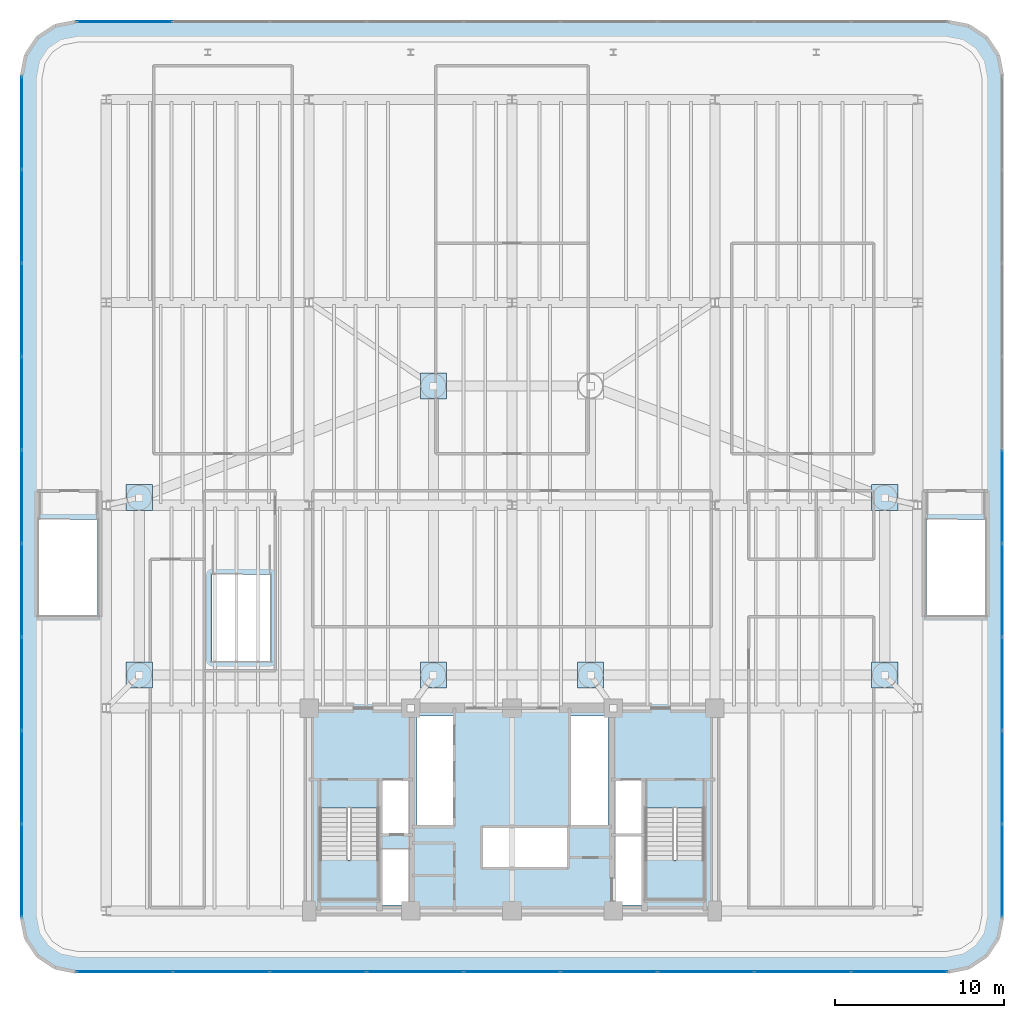
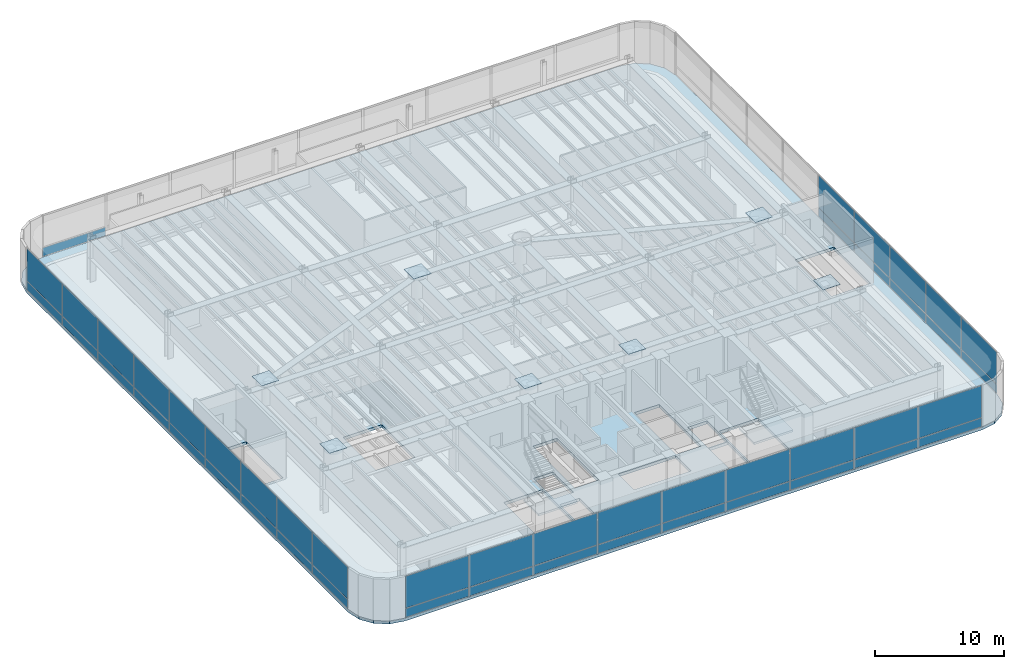
# One storey, part 11 of 18: 54 plates, 3 slabs, 6 elements without a shape of their own.
"""IFC4 building model written with IfcOpenShell, lengths in metres."""

from ifc_helpers import new_model, si_unit, direction, frame, origin, origin_2d, place, context, subcontext, project, spatial, polyline, rectangle, outline, extrude, source, transform, mapped, material, layer, layer_set, type_object, element, aggregate, save


model = new_model("IFC4")

# Units and contexts
model_context = context("Model", 3, precision=1e-05, world=origin(), true_north=direction((0.0, 1.0)))
body_context = subcontext(model_context, "Body", "Model", "MODEL_VIEW")
ifc_project = project(units=[si_unit("LENGTHUNIT", "METRE"), si_unit("AREAUNIT", "SQUARE_METRE"), si_unit("VOLUMEUNIT", "CUBIC_METRE"), si_unit("PLANEANGLEUNIT", "RADIAN"), si_unit("MASSUNIT", "GRAM", prefix="KILO")], contexts=[model_context])

# Site, building, storey
site_placement = place(None, origin())
site = spatial("IfcSite", under=ifc_project, at=site_placement, CompositionType="ELEMENT")
building_placement = place(site_placement, origin())
building = spatial("IfcBuilding", under=site, at=building_placement, Name="Brelvock Crest Care Tower", CompositionType="ELEMENT")
storey_placement = place(building_placement, frame((0.0, 0.0, 22.679931640625)))
storey = spatial("IfcBuildingStorey", under=building, at=storey_placement, Name="L05", CompositionType="ELEMENT", Elevation=22.679931640625)

# Slab
ifc_material_1 = material(Name="Concrete N50 (50 MPa)", Category="concrete")
ifc_layer_1 = layer(ifc_material_1, 0.280029296875, Name="SLB-FL2")
ifc_layer_set_1 = layer_set([ifc_layer_1], Name="Concrete N50 (50 MPa)")
slab_type_1 = type_object("IfcSlabType", Name="SLB-FL2", PredefinedType="FLOOR", material=ifc_layer_set_1)
slab_1_placement = place(storey_placement, frame((0.0, 0.0, -0.280029296875)))
element("IfcSlab", 1, at=slab_1_placement, inside=storey, type_object=slab_type_1, Name="L05 Main Structural Slab", PredefinedType="FLOOR", context=body_context, shape_type="SweptSolid", body=[
    extrude(outline(polyline([(61.800048828125, 2.39990234375), (63.024658203125, 2.6435546875), (64.062744140625, 3.33740234375), (64.75634765625, 4.37548828125), (65.0, 5.60009765625), (65.0, 55.39990234375), (64.75634765625, 56.62451171875), (64.062744140625, 57.66259765625), (63.024658203125, 58.3564453125), (61.800048828125, 58.60009765625), (10.199951171875, 58.60009765625), (8.975341796875, 58.3564453125), (7.937255859375, 57.66259765625), (7.24365234375, 56.62451171875), (7.0, 55.39990234375), (7.0, 5.60009765625), (7.24365234375, 4.37548828125), (7.937255859375, 3.33740234375), (8.975341796875, 2.6435546875), (10.199951171875, 2.39990234375), (61.800048828125, 2.39990234375)]), holes=[polyline([(28.239990234375, 10.580078125), (29.97998046875, 10.580078125), (29.97998046875, 13.739990234375), (28.239990234375, 13.739990234375), (28.239990234375, 10.580078125)]), polyline([(42.02001953125, 10.580078125), (43.760009765625, 10.580078125), (43.760009765625, 13.739990234375), (42.02001953125, 13.739990234375), (42.02001953125, 10.580078125)]), polyline([(28.239990234375, 6.340087890625), (29.97998046875, 6.340087890625), (29.97998046875, 9.64990234375), (28.239990234375, 9.64990234375), (28.239990234375, 6.340087890625)]), polyline([(24.6298828125, 12.080078125), (24.6298828125, 6.699951171875), (28.110107421875, 6.699951171875), (28.110107421875, 12.080078125), (24.6298828125, 12.080078125)]), polyline([(43.889892578125, 12.080078125), (43.889892578125, 6.699951171875), (47.3701171875, 6.699951171875), (47.3701171875, 12.080078125), (43.889892578125, 12.080078125)]), polyline([(8.010009765625, 29.14990234375), (8.010009765625, 23.5), (11.489990234375, 23.5), (11.489990234375, 29.14990234375), (8.010009765625, 29.14990234375)]), polyline([(60.510009765625, 29.14990234375), (60.510009765625, 23.5), (63.989990234375, 23.5), (63.989990234375, 29.14990234375), (60.510009765625, 29.14990234375)]), polyline([(18.239990234375, 25.89990234375), (18.239990234375, 20.800048828125), (21.719970703125, 20.800048828125), (21.719970703125, 25.89990234375), (18.239990234375, 25.89990234375)]), polyline([(42.02001953125, 6.340087890625), (43.760009765625, 6.340087890625), (43.760009765625, 10.5), (42.02001953125, 10.5), (42.02001953125, 6.340087890625)]), polyline([(30.3798828125, 11.030029296875), (32.52001953125, 11.030029296875), (32.52001953125, 17.52001953125), (30.3798828125, 17.52001953125), (30.3798828125, 11.030029296875)]), polyline([(34.22998046875, 8.530029296875), (39.320068359375, 8.530029296875), (39.320068359375, 10.969970703125), (34.22998046875, 10.969970703125), (34.22998046875, 8.530029296875)]), polyline([(39.429931640625, 11.030029296875), (41.669921875, 11.030029296875), (41.669921875, 17.52001953125), (39.429931640625, 17.52001953125), (39.429931640625, 11.030029296875)])]), origin(), (0.0, 0.0, 1.0), 0.280029296875),
])

# Stair, slab
ifc_material_2 = material(Name="Concrete N40 (40 MPa)", Category="concrete")
stair_type = type_object("IfcStairType", Name="ST-CORE1", PredefinedType="HALF_TURN_STAIR", material=ifc_material_2)
stair_1_placement = place(storey_placement, origin())
stair_1 = element("IfcStair", 2, at=stair_1_placement, inside=storey, type_object=stair_type, Name="L05 Fire-Isolated Core Stair ST-1", PredefinedType="HALF_TURN_STAIR")
ifc_layer_2 = layer(ifc_material_2, 0.199951171875, Name="STL-1")
ifc_layer_set_2 = layer_set([ifc_layer_2], Name="Concrete N40 (40 MPa)")
slab_type_2 = type_object("IfcSlabType", Name="STL-1", PredefinedType="LANDING", material=ifc_layer_set_2)
slab_2_placement = place(storey_placement, frame((0.0, 0.0, 1.9599609375)))
slab_2 = element("IfcSlab", 3, at=slab_2_placement, type_object=slab_type_2, Name="ST-1 landing 1", PredefinedType="LANDING", context=body_context, shape_type="SweptSolid", body=[
    extrude(outline(polyline([(24.6298828125, 9.0), (24.6298828125, 6.699951171875), (28.110107421875, 6.699951171875), (28.110107421875, 9.0), (24.6298828125, 9.0)])), origin(), (0.0, 0.0, 1.0), 0.2001953125),
])
aggregate(stair_1, [slab_2])

stair_2_placement = place(storey_placement, origin())
stair_2 = element("IfcStair", 4, at=stair_2_placement, inside=storey, type_object=stair_type, Name="L05 Fire-Isolated Core Stair ST-2", PredefinedType="HALF_TURN_STAIR")
slab_3_placement = place(storey_placement, frame((0.0, 0.0, 1.9599609375)))
slab_3 = element("IfcSlab", 5, at=slab_3_placement, type_object=slab_type_2, Name="ST-2 landing 1", PredefinedType="LANDING", context=body_context, shape_type="SweptSolid", body=[
    extrude(outline(polyline([(43.889892578125, 9.0), (43.889892578125, 6.699951171875), (47.3701171875, 6.699951171875), (47.3701171875, 9.0), (43.889892578125, 9.0)])), origin(), (0.0, 0.0, 1.0), 0.2001953125),
])
aggregate(stair_2, [slab_3])

# Plates
ifc_material_3 = material(Name="Steel Grade 350", Category="steel")
plate_type_1 = type_object("IfcPlateType", Name="PLT-EC1", PredefinedType="USERDEFINED", material=ifc_material_3)
shared_shape_1 = source(origin(), body_context, "Body", "SweptSolid", [
    extrude(rectangle(XDim=1.550048828125, YDim=1.550048828125, at=origin_2d()), origin(), (0.0, 0.0, 1.0), 0.031982421875),
])
for number, where, z_axis, x_axis, name in (
    (6, (13.949951171875, 19.949951171875, 4.31201171875), (0.0, 0.0, 1.0), (1.0, 0.0, 0.0), "PLT-CAP-L05-01"),
    (7, (13.949951171875, 30.449951171875, 4.31201171875), (0.0, 0.0, 1.0), (1.0, 0.0, 0.0), "PLT-CAP-L05-02"),
    (8, (58.050048828125, 19.949951171875, 4.31201171875), (0.0, 0.0, 1.0), (1.0, 0.0, 0.0), "PLT-CAP-L05-03"),
    (9, (58.050048828125, 30.449951171875, 4.31201171875), (0.0, 0.0, 1.0), (1.0, 0.0, 0.0), "PLT-CAP-L05-04"),
    (10, (31.35009765625, 19.949951171875, 4.31201171875), (0.0, 0.0, 1.0), (1.0, 0.0, 0.0), "PLT-CAP-L05-05"),
    (11, (40.64990234375, 19.949951171875, 4.31201171875), (0.0, 0.0, 1.0), (1.0, 0.0, 0.0), "PLT-CAP-L05-06"),
    (12, (31.35009765625, 37.050048828125, 4.31201171875), (0.0, 0.0, 1.0), (1.0, 0.0, 0.0), "PLT-CAP-L05-07"),
):
    element("IfcPlate", number, at=place(storey_placement, frame(where, z_axis=z_axis, x_axis=x_axis)), inside=storey, type_object=plate_type_1, Name=name, ObjectType="FLANGE_PLATE", PredefinedType="USERDEFINED", context=body_context, shape_type="MappedRepresentation", body=[
        mapped(shared_shape_1, transform((0.0, 0.0, 0.0), x_axis=(1.0, 0.0, 0.0), y_axis=(0.0, 1.0, 0.0), z_axis=(0.0, 0.0, 1.0), scale=1.0)),
    ])

# Curtain wall, plates
ifc_material_4 = material(Name="Dark Glass Double Glazed Low-E", Category="glass")
ifc_layer_3 = layer(ifc_material_4, 0.179931640625, Name="CWS-1")
ifc_layer_set_3 = layer_set([ifc_layer_3], Name="Dark Glass Double Glazed Low-E")
curtain_wall_type = type_object("IfcCurtainWallType", Name="CWS-1", PredefinedType="NOTDEFINED", material=ifc_layer_set_3)
curtain_wall_1_placement = place(storey_placement, origin())
curtain_wall_1 = element("IfcCurtainWall", 13, at=curtain_wall_1_placement, inside=storey, type_object=curtain_wall_type, Name="L05 Curtain Wall E04", PredefinedType="NOTDEFINED")
ifc_material_5 = material(Name="Dark Glass Shadow-Box Spandrel", Category="glass")
ifc_layer_4 = layer(ifc_material_5, 0.048095703125, Name="CWP-SP1")
ifc_layer_set_4 = layer_set([ifc_layer_4], Name="Dark Glass Shadow-Box Spandrel")
plate_type_2 = type_object("IfcPlateType", Name="CWP-SP1", PredefinedType="SHEET", material=ifc_layer_set_4)
shared_shape_2 = source(origin(), body_context, "Body", "SweptSolid", [
    extrude(rectangle(XDim=5.435791015625, YDim=0.035888671875, at=origin_2d()), origin(), (0.0, 0.0, 1.0), 0.802490234375),
])
plate_1_placement = place(storey_placement, frame((7.0, 8.3828125, 0.06494140625), z_axis=(0.0, 0.0, 1.0), x_axis=(0.0, 1.0, 0.0)))
plate_1 = element("IfcPlate", 14, at=plate_1_placement, type_object=plate_type_2, Name="CW-1 panel 1.1", PredefinedType="SHEET", context=body_context, shape_type="MappedRepresentation", body=[
    mapped(shared_shape_2, transform((0.0, 0.0, 0.0), x_axis=(1.0, 0.0, 0.0), y_axis=(0.0, 1.0, 0.0), z_axis=(0.0, 0.0, 1.0), scale=1.0)),
])
plate_2_placement = place(storey_placement, frame((7.0, 52.6171875, 0.06494140625), z_axis=(0.0, 0.0, 1.0), x_axis=(0.0, 1.0, 0.0)))
plate_2 = element("IfcPlate", 15, at=plate_2_placement, type_object=plate_type_2, Name="CW-1 panel 9.1", PredefinedType="SHEET", context=body_context, shape_type="MappedRepresentation", body=[
    mapped(shared_shape_2, transform((0.0, 0.0, 0.0), x_axis=(1.0, 0.0, 0.0), y_axis=(0.0, 1.0, 0.0), z_axis=(0.0, 0.0, 1.0), scale=1.0)),
])

# Curtain wall, plate
curtain_wall_2_placement = place(storey_placement, origin())
curtain_wall_2 = element("IfcCurtainWall", 16, at=curtain_wall_2_placement, inside=storey, type_object=curtain_wall_type, Name="L05 Curtain Wall E14", PredefinedType="NOTDEFINED")
plate_3_placement = place(storey_placement, frame((65.0, 8.3828125, 0.06494140625), z_axis=(0.0, 0.0, 1.0), x_axis=(0.0, -1.0, 0.0)))
plate_3 = element("IfcPlate", 17, at=plate_3_placement, type_object=plate_type_2, Name="CW-1 panel 9.1", PredefinedType="SHEET", context=body_context, shape_type="MappedRepresentation", body=[
    mapped(shared_shape_2, transform((0.0, 0.0, 0.0), x_axis=(1.0, 0.0, 0.0), y_axis=(0.0, 1.0, 0.0), z_axis=(0.0, 0.0, 1.0), scale=1.0)),
])

# Plate
shared_shape_3 = source(origin(), body_context, "Body", "SweptSolid", [
    extrude(rectangle(XDim=5.46826171875, YDim=0.035888671875, at=origin_2d()), origin(), (0.0, 0.0, 1.0), 0.802490234375),
])
plate_4_placement = place(storey_placement, frame((7.0, 13.89990234375, 0.06494140625), z_axis=(0.0, 0.0, 1.0), x_axis=(0.0, 1.0, 0.0)))
plate_4 = element("IfcPlate", 18, at=plate_4_placement, type_object=plate_type_2, Name="CW-1 panel 2.1", PredefinedType="SHEET", context=body_context, shape_type="MappedRepresentation", body=[
    mapped(shared_shape_3, transform((0.0, 0.0, 0.0), x_axis=(1.0, 0.0, 0.0), y_axis=(0.0, 1.0, 0.0), z_axis=(0.0, 0.0, 1.0), scale=1.0)),
])

plate_5_placement = place(storey_placement, frame((7.0, 19.433349609375, 0.06494140625), z_axis=(0.0, 0.0, 1.0), x_axis=(0.0, 1.0, 0.0)))
plate_5 = element("IfcPlate", 19, at=plate_5_placement, type_object=plate_type_2, Name="CW-1 panel 3.1", PredefinedType="SHEET", context=body_context, shape_type="MappedRepresentation", body=[
    mapped(shared_shape_3, transform((0.0, 0.0, 0.0), x_axis=(1.0, 0.0, 0.0), y_axis=(0.0, 1.0, 0.0), z_axis=(0.0, 0.0, 1.0), scale=1.0)),
])

plate_6_placement = place(storey_placement, frame((7.0, 24.966552734375, 0.06494140625), z_axis=(0.0, 0.0, 1.0), x_axis=(0.0, 1.0, 0.0)))
plate_6 = element("IfcPlate", 20, at=plate_6_placement, type_object=plate_type_2, Name="CW-1 panel 4.1", PredefinedType="SHEET", context=body_context, shape_type="MappedRepresentation", body=[
    mapped(shared_shape_3, transform((0.0, 0.0, 0.0), x_axis=(1.0, 0.0, 0.0), y_axis=(0.0, 1.0, 0.0), z_axis=(0.0, 0.0, 1.0), scale=1.0)),
])

plate_7_placement = place(storey_placement, frame((7.0, 30.5, 0.06494140625), z_axis=(0.0, 0.0, 1.0), x_axis=(0.0, 1.0, 0.0)))
plate_7 = element("IfcPlate", 21, at=plate_7_placement, type_object=plate_type_2, Name="CW-1 panel 5.1", PredefinedType="SHEET", context=body_context, shape_type="MappedRepresentation", body=[
    mapped(shared_shape_3, transform((0.0, 0.0, 0.0), x_axis=(1.0, 0.0, 0.0), y_axis=(0.0, 1.0, 0.0), z_axis=(0.0, 0.0, 1.0), scale=1.0)),
])

plate_8_placement = place(storey_placement, frame((7.0, 36.033447265625, 0.06494140625), z_axis=(0.0, 0.0, 1.0), x_axis=(0.0, 1.0, 0.0)))
plate_8 = element("IfcPlate", 22, at=plate_8_placement, type_object=plate_type_2, Name="CW-1 panel 6.1", PredefinedType="SHEET", context=body_context, shape_type="MappedRepresentation", body=[
    mapped(shared_shape_3, transform((0.0, 0.0, 0.0), x_axis=(1.0, 0.0, 0.0), y_axis=(0.0, 1.0, 0.0), z_axis=(0.0, 0.0, 1.0), scale=1.0)),
])

plate_9_placement = place(storey_placement, frame((7.0, 41.566650390625, 0.06494140625), z_axis=(0.0, 0.0, 1.0), x_axis=(0.0, 1.0, 0.0)))
plate_9 = element("IfcPlate", 23, at=plate_9_placement, type_object=plate_type_2, Name="CW-1 panel 7.1", PredefinedType="SHEET", context=body_context, shape_type="MappedRepresentation", body=[
    mapped(shared_shape_3, transform((0.0, 0.0, 0.0), x_axis=(1.0, 0.0, 0.0), y_axis=(0.0, 1.0, 0.0), z_axis=(0.0, 0.0, 1.0), scale=1.0)),
])

plate_10_placement = place(storey_placement, frame((7.0, 47.10009765625, 0.06494140625), z_axis=(0.0, 0.0, 1.0), x_axis=(0.0, 1.0, 0.0)))
plate_10 = element("IfcPlate", 24, at=plate_10_placement, type_object=plate_type_2, Name="CW-1 panel 8.1", PredefinedType="SHEET", context=body_context, shape_type="MappedRepresentation", body=[
    mapped(shared_shape_3, transform((0.0, 0.0, 0.0), x_axis=(1.0, 0.0, 0.0), y_axis=(0.0, 1.0, 0.0), z_axis=(0.0, 0.0, 1.0), scale=1.0)),
])

plate_11_placement = place(storey_placement, frame((65.0, 30.5, 0.06494140625), z_axis=(0.0, 0.0, 1.0), x_axis=(0.0, -1.0, 0.0)))
plate_11 = element("IfcPlate", 25, at=plate_11_placement, type_object=plate_type_2, Name="CW-1 panel 5.1", PredefinedType="SHEET", context=body_context, shape_type="MappedRepresentation", body=[
    mapped(shared_shape_3, transform((0.0, 0.0, 0.0), x_axis=(1.0, 0.0, 0.0), y_axis=(0.0, 1.0, 0.0), z_axis=(0.0, 0.0, 1.0), scale=1.0)),
])

plate_12_placement = place(storey_placement, frame((65.0, 24.966552734375, 0.06494140625), z_axis=(0.0, 0.0, 1.0), x_axis=(0.0, -1.0, 0.0)))
plate_12 = element("IfcPlate", 26, at=plate_12_placement, type_object=plate_type_2, Name="CW-1 panel 6.1", PredefinedType="SHEET", context=body_context, shape_type="MappedRepresentation", body=[
    mapped(shared_shape_3, transform((0.0, 0.0, 0.0), x_axis=(1.0, 0.0, 0.0), y_axis=(0.0, 1.0, 0.0), z_axis=(0.0, 0.0, 1.0), scale=1.0)),
])

plate_13_placement = place(storey_placement, frame((65.0, 19.433349609375, 0.06494140625), z_axis=(0.0, 0.0, 1.0), x_axis=(0.0, -1.0, 0.0)))
plate_13 = element("IfcPlate", 27, at=plate_13_placement, type_object=plate_type_2, Name="CW-1 panel 7.1", PredefinedType="SHEET", context=body_context, shape_type="MappedRepresentation", body=[
    mapped(shared_shape_3, transform((0.0, 0.0, 0.0), x_axis=(1.0, 0.0, 0.0), y_axis=(0.0, 1.0, 0.0), z_axis=(0.0, 0.0, 1.0), scale=1.0)),
])

plate_14_placement = place(storey_placement, frame((65.0, 13.89990234375, 0.06494140625), z_axis=(0.0, 0.0, 1.0), x_axis=(0.0, -1.0, 0.0)))
plate_14 = element("IfcPlate", 28, at=plate_14_placement, type_object=plate_type_2, Name="CW-1 panel 8.1", PredefinedType="SHEET", context=body_context, shape_type="MappedRepresentation", body=[
    mapped(shared_shape_3, transform((0.0, 0.0, 0.0), x_axis=(1.0, 0.0, 0.0), y_axis=(0.0, 1.0, 0.0), z_axis=(0.0, 0.0, 1.0), scale=1.0)),
])

# Curtain wall, plate
curtain_wall_3_placement = place(storey_placement, origin())
curtain_wall_3 = element("IfcCurtainWall", 29, at=curtain_wall_3_placement, inside=storey, type_object=curtain_wall_type, Name="L05 Curtain Wall E09", PredefinedType="NOTDEFINED")
shared_shape_4 = source(origin(), body_context, "Body", "SweptSolid", [
    extrude(rectangle(XDim=5.6357421875, YDim=0.035888671875, at=origin_2d()), origin(), (0.0, 0.0, 1.0), 0.802490234375),
])
plate_15_placement = place(storey_placement, frame((13.0830078125, 58.60009765625, 0.06494140625), z_axis=(0.0, 0.0, 1.0), x_axis=(1.0, 0.0, 0.0)))
plate_15 = element("IfcPlate", 30, at=plate_15_placement, type_object=plate_type_2, Name="CW-1 panel 1.1", PredefinedType="SHEET", context=body_context, shape_type="MappedRepresentation", body=[
    mapped(shared_shape_4, transform((0.0, 0.0, 0.0), x_axis=(1.0, 0.0, 0.0), y_axis=(0.0, 1.0, 0.0), z_axis=(0.0, 0.0, 1.0), scale=1.0)),
])
aggregate(curtain_wall_3, [plate_15])

# Curtain wall, plates
curtain_wall_4_placement = place(storey_placement, origin())
curtain_wall_4 = element("IfcCurtainWall", 31, at=curtain_wall_4_placement, inside=storey, type_object=curtain_wall_type, Name="L05 Curtain Wall E19", PredefinedType="NOTDEFINED")
plate_16_placement = place(storey_placement, frame((58.9169921875, 2.39990234375, 0.06494140625), z_axis=(0.0, 0.0, 1.0), x_axis=(-1.0, 0.0, 0.0)))
plate_16 = element("IfcPlate", 32, at=plate_16_placement, type_object=plate_type_2, Name="CW-1 panel 1.1", PredefinedType="SHEET", context=body_context, shape_type="MappedRepresentation", body=[
    mapped(shared_shape_4, transform((0.0, 0.0, 0.0), x_axis=(1.0, 0.0, 0.0), y_axis=(0.0, 1.0, 0.0), z_axis=(0.0, 0.0, 1.0), scale=1.0)),
])
plate_17_placement = place(storey_placement, frame((13.0830078125, 2.39990234375, 0.06494140625), z_axis=(0.0, 0.0, 1.0), x_axis=(-1.0, 0.0, 0.0)))
plate_17 = element("IfcPlate", 33, at=plate_17_placement, type_object=plate_type_2, Name="CW-1 panel 9.1", PredefinedType="SHEET", context=body_context, shape_type="MappedRepresentation", body=[
    mapped(shared_shape_4, transform((0.0, 0.0, 0.0), x_axis=(1.0, 0.0, 0.0), y_axis=(0.0, 1.0, 0.0), z_axis=(0.0, 0.0, 1.0), scale=1.0)),
])
shared_shape_5 = source(origin(), body_context, "Body", "SweptSolid", [
    extrude(rectangle(XDim=5.668212890625, YDim=0.035888671875, at=origin_2d()), origin(), (0.0, 0.0, 1.0), 0.802490234375),
])
plate_18_placement = place(storey_placement, frame((53.199951171875, 2.39990234375, 0.06494140625), z_axis=(0.0, 0.0, 1.0), x_axis=(-1.0, 0.0, 0.0)))
plate_18 = element("IfcPlate", 34, at=plate_18_placement, type_object=plate_type_2, Name="CW-1 panel 2.1", PredefinedType="SHEET", context=body_context, shape_type="MappedRepresentation", body=[
    mapped(shared_shape_5, transform((0.0, 0.0, 0.0), x_axis=(1.0, 0.0, 0.0), y_axis=(0.0, 1.0, 0.0), z_axis=(0.0, 0.0, 1.0), scale=1.0)),
])
plate_19_placement = place(storey_placement, frame((47.466552734375, 2.39990234375, 0.06494140625), z_axis=(0.0, 0.0, 1.0), x_axis=(-1.0, 0.0, 0.0)))
plate_19 = element("IfcPlate", 35, at=plate_19_placement, type_object=plate_type_2, Name="CW-1 panel 3.1", PredefinedType="SHEET", context=body_context, shape_type="MappedRepresentation", body=[
    mapped(shared_shape_5, transform((0.0, 0.0, 0.0), x_axis=(1.0, 0.0, 0.0), y_axis=(0.0, 1.0, 0.0), z_axis=(0.0, 0.0, 1.0), scale=1.0)),
])
plate_20_placement = place(storey_placement, frame((41.7333984375, 2.39990234375, 0.06494140625), z_axis=(0.0, 0.0, 1.0), x_axis=(-1.0, 0.0, 0.0)))
plate_20 = element("IfcPlate", 36, at=plate_20_placement, type_object=plate_type_2, Name="CW-1 panel 4.1", PredefinedType="SHEET", context=body_context, shape_type="MappedRepresentation", body=[
    mapped(shared_shape_5, transform((0.0, 0.0, 0.0), x_axis=(1.0, 0.0, 0.0), y_axis=(0.0, 1.0, 0.0), z_axis=(0.0, 0.0, 1.0), scale=1.0)),
])
plate_21_placement = place(storey_placement, frame((36.0, 2.39990234375, 0.06494140625), z_axis=(0.0, 0.0, 1.0), x_axis=(-1.0, 0.0, 0.0)))
plate_21 = element("IfcPlate", 37, at=plate_21_placement, type_object=plate_type_2, Name="CW-1 panel 5.1", PredefinedType="SHEET", context=body_context, shape_type="MappedRepresentation", body=[
    mapped(shared_shape_5, transform((0.0, 0.0, 0.0), x_axis=(1.0, 0.0, 0.0), y_axis=(0.0, 1.0, 0.0), z_axis=(0.0, 0.0, 1.0), scale=1.0)),
])
plate_22_placement = place(storey_placement, frame((30.2666015625, 2.39990234375, 0.06494140625), z_axis=(0.0, 0.0, 1.0), x_axis=(-1.0, 0.0, 0.0)))
plate_22 = element("IfcPlate", 38, at=plate_22_placement, type_object=plate_type_2, Name="CW-1 panel 6.1", PredefinedType="SHEET", context=body_context, shape_type="MappedRepresentation", body=[
    mapped(shared_shape_5, transform((0.0, 0.0, 0.0), x_axis=(1.0, 0.0, 0.0), y_axis=(0.0, 1.0, 0.0), z_axis=(0.0, 0.0, 1.0), scale=1.0)),
])
plate_23_placement = place(storey_placement, frame((24.533447265625, 2.39990234375, 0.06494140625), z_axis=(0.0, 0.0, 1.0), x_axis=(-1.0, 0.0, 0.0)))
plate_23 = element("IfcPlate", 39, at=plate_23_placement, type_object=plate_type_2, Name="CW-1 panel 7.1", PredefinedType="SHEET", context=body_context, shape_type="MappedRepresentation", body=[
    mapped(shared_shape_5, transform((0.0, 0.0, 0.0), x_axis=(1.0, 0.0, 0.0), y_axis=(0.0, 1.0, 0.0), z_axis=(0.0, 0.0, 1.0), scale=1.0)),
])
plate_24_placement = place(storey_placement, frame((18.800048828125, 2.39990234375, 0.06494140625), z_axis=(0.0, 0.0, 1.0), x_axis=(-1.0, 0.0, 0.0)))
plate_24 = element("IfcPlate", 40, at=plate_24_placement, type_object=plate_type_2, Name="CW-1 panel 8.1", PredefinedType="SHEET", context=body_context, shape_type="MappedRepresentation", body=[
    mapped(shared_shape_5, transform((0.0, 0.0, 0.0), x_axis=(1.0, 0.0, 0.0), y_axis=(0.0, 1.0, 0.0), z_axis=(0.0, 0.0, 1.0), scale=1.0)),
])

# Plate
ifc_layer_5 = layer(ifc_material_4, 0.031982421875, Name="CWP-V1")
ifc_layer_set_5 = layer_set([ifc_layer_5], Name="Dark Glass Double Glazed Low-E")
plate_type_3 = type_object("IfcPlateType", Name="CWP-V1", PredefinedType="CURTAIN_PANEL", material=ifc_layer_set_5)
shared_shape_6 = source(origin(), body_context, "Body", "SweptSolid", [
    extrude(rectangle(XDim=5.435791015625, YDim=0.035888671875, at=origin_2d()), origin(), (0.0, 0.0, 1.0), 3.00244140625),
])
plate_25_placement = place(storey_placement, frame((7.0, 8.3828125, 0.9326171875), z_axis=(0.0, 0.0, 1.0), x_axis=(0.0, 1.0, 0.0)))
plate_25 = element("IfcPlate", 41, at=plate_25_placement, type_object=plate_type_3, Name="CW-1 panel 1.2", PredefinedType="CURTAIN_PANEL", context=body_context, shape_type="MappedRepresentation", body=[
    mapped(shared_shape_6, transform((0.0, 0.0, 0.0), x_axis=(1.0, 0.0, 0.0), y_axis=(0.0, 1.0, 0.0), z_axis=(0.0, 0.0, 1.0), scale=1.0)),
])

plate_26_placement = place(storey_placement, frame((7.0, 52.6171875, 0.9326171875), z_axis=(0.0, 0.0, 1.0), x_axis=(0.0, 1.0, 0.0)))
plate_26 = element("IfcPlate", 42, at=plate_26_placement, type_object=plate_type_3, Name="CW-1 panel 9.2", PredefinedType="CURTAIN_PANEL", context=body_context, shape_type="MappedRepresentation", body=[
    mapped(shared_shape_6, transform((0.0, 0.0, 0.0), x_axis=(1.0, 0.0, 0.0), y_axis=(0.0, 1.0, 0.0), z_axis=(0.0, 0.0, 1.0), scale=1.0)),
])

plate_27_placement = place(storey_placement, frame((65.0, 8.3828125, 0.9326171875), z_axis=(0.0, 0.0, 1.0), x_axis=(0.0, -1.0, 0.0)))
plate_27 = element("IfcPlate", 43, at=plate_27_placement, type_object=plate_type_3, Name="CW-1 panel 9.2", PredefinedType="CURTAIN_PANEL", context=body_context, shape_type="MappedRepresentation", body=[
    mapped(shared_shape_6, transform((0.0, 0.0, 0.0), x_axis=(1.0, 0.0, 0.0), y_axis=(0.0, 1.0, 0.0), z_axis=(0.0, 0.0, 1.0), scale=1.0)),
])

shared_shape_7 = source(origin(), body_context, "Body", "SweptSolid", [
    extrude(rectangle(XDim=5.46826171875, YDim=0.035888671875, at=origin_2d()), origin(), (0.0, 0.0, 1.0), 3.00244140625),
])
plate_28_placement = place(storey_placement, frame((7.0, 13.89990234375, 0.9326171875), z_axis=(0.0, 0.0, 1.0), x_axis=(0.0, 1.0, 0.0)))
plate_28 = element("IfcPlate", 44, at=plate_28_placement, type_object=plate_type_3, Name="CW-1 panel 2.2", PredefinedType="CURTAIN_PANEL", context=body_context, shape_type="MappedRepresentation", body=[
    mapped(shared_shape_7, transform((0.0, 0.0, 0.0), x_axis=(1.0, 0.0, 0.0), y_axis=(0.0, 1.0, 0.0), z_axis=(0.0, 0.0, 1.0), scale=1.0)),
])

plate_29_placement = place(storey_placement, frame((7.0, 19.433349609375, 0.9326171875), z_axis=(0.0, 0.0, 1.0), x_axis=(0.0, 1.0, 0.0)))
plate_29 = element("IfcPlate", 45, at=plate_29_placement, type_object=plate_type_3, Name="CW-1 panel 3.2", PredefinedType="CURTAIN_PANEL", context=body_context, shape_type="MappedRepresentation", body=[
    mapped(shared_shape_7, transform((0.0, 0.0, 0.0), x_axis=(1.0, 0.0, 0.0), y_axis=(0.0, 1.0, 0.0), z_axis=(0.0, 0.0, 1.0), scale=1.0)),
])

plate_30_placement = place(storey_placement, frame((7.0, 24.966552734375, 0.9326171875), z_axis=(0.0, 0.0, 1.0), x_axis=(0.0, 1.0, 0.0)))
plate_30 = element("IfcPlate", 46, at=plate_30_placement, type_object=plate_type_3, Name="CW-1 panel 4.2", PredefinedType="CURTAIN_PANEL", context=body_context, shape_type="MappedRepresentation", body=[
    mapped(shared_shape_7, transform((0.0, 0.0, 0.0), x_axis=(1.0, 0.0, 0.0), y_axis=(0.0, 1.0, 0.0), z_axis=(0.0, 0.0, 1.0), scale=1.0)),
])

plate_31_placement = place(storey_placement, frame((7.0, 30.5, 0.9326171875), z_axis=(0.0, 0.0, 1.0), x_axis=(0.0, 1.0, 0.0)))
plate_31 = element("IfcPlate", 47, at=plate_31_placement, type_object=plate_type_3, Name="CW-1 panel 5.2", PredefinedType="CURTAIN_PANEL", context=body_context, shape_type="MappedRepresentation", body=[
    mapped(shared_shape_7, transform((0.0, 0.0, 0.0), x_axis=(1.0, 0.0, 0.0), y_axis=(0.0, 1.0, 0.0), z_axis=(0.0, 0.0, 1.0), scale=1.0)),
])

plate_32_placement = place(storey_placement, frame((7.0, 36.033447265625, 0.9326171875), z_axis=(0.0, 0.0, 1.0), x_axis=(0.0, 1.0, 0.0)))
plate_32 = element("IfcPlate", 48, at=plate_32_placement, type_object=plate_type_3, Name="CW-1 panel 6.2", PredefinedType="CURTAIN_PANEL", context=body_context, shape_type="MappedRepresentation", body=[
    mapped(shared_shape_7, transform((0.0, 0.0, 0.0), x_axis=(1.0, 0.0, 0.0), y_axis=(0.0, 1.0, 0.0), z_axis=(0.0, 0.0, 1.0), scale=1.0)),
])

plate_33_placement = place(storey_placement, frame((7.0, 41.566650390625, 0.9326171875), z_axis=(0.0, 0.0, 1.0), x_axis=(0.0, 1.0, 0.0)))
plate_33 = element("IfcPlate", 49, at=plate_33_placement, type_object=plate_type_3, Name="CW-1 panel 7.2", PredefinedType="CURTAIN_PANEL", context=body_context, shape_type="MappedRepresentation", body=[
    mapped(shared_shape_7, transform((0.0, 0.0, 0.0), x_axis=(1.0, 0.0, 0.0), y_axis=(0.0, 1.0, 0.0), z_axis=(0.0, 0.0, 1.0), scale=1.0)),
])

plate_34_placement = place(storey_placement, frame((7.0, 47.10009765625, 0.9326171875), z_axis=(0.0, 0.0, 1.0), x_axis=(0.0, 1.0, 0.0)))
plate_34 = element("IfcPlate", 50, at=plate_34_placement, type_object=plate_type_3, Name="CW-1 panel 8.2", PredefinedType="CURTAIN_PANEL", context=body_context, shape_type="MappedRepresentation", body=[
    mapped(shared_shape_7, transform((0.0, 0.0, 0.0), x_axis=(1.0, 0.0, 0.0), y_axis=(0.0, 1.0, 0.0), z_axis=(0.0, 0.0, 1.0), scale=1.0)),
])

aggregate(curtain_wall_1, [plate_1, plate_25, plate_4, plate_28, plate_5, plate_29, plate_6, plate_30, plate_7, plate_31, plate_8, plate_32, plate_9, plate_33, plate_10, plate_34, plate_2, plate_26])

plate_35_placement = place(storey_placement, frame((65.0, 30.5, 0.9326171875), z_axis=(0.0, 0.0, 1.0), x_axis=(0.0, -1.0, 0.0)))
plate_35 = element("IfcPlate", 51, at=plate_35_placement, type_object=plate_type_3, Name="CW-1 panel 5.2", PredefinedType="CURTAIN_PANEL", context=body_context, shape_type="MappedRepresentation", body=[
    mapped(shared_shape_7, transform((0.0, 0.0, 0.0), x_axis=(1.0, 0.0, 0.0), y_axis=(0.0, 1.0, 0.0), z_axis=(0.0, 0.0, 1.0), scale=1.0)),
])

plate_36_placement = place(storey_placement, frame((65.0, 24.966552734375, 0.9326171875), z_axis=(0.0, 0.0, 1.0), x_axis=(0.0, -1.0, 0.0)))
plate_36 = element("IfcPlate", 52, at=plate_36_placement, type_object=plate_type_3, Name="CW-1 panel 6.2", PredefinedType="CURTAIN_PANEL", context=body_context, shape_type="MappedRepresentation", body=[
    mapped(shared_shape_7, transform((0.0, 0.0, 0.0), x_axis=(1.0, 0.0, 0.0), y_axis=(0.0, 1.0, 0.0), z_axis=(0.0, 0.0, 1.0), scale=1.0)),
])

plate_37_placement = place(storey_placement, frame((65.0, 19.433349609375, 0.9326171875), z_axis=(0.0, 0.0, 1.0), x_axis=(0.0, -1.0, 0.0)))
plate_37 = element("IfcPlate", 53, at=plate_37_placement, type_object=plate_type_3, Name="CW-1 panel 7.2", PredefinedType="CURTAIN_PANEL", context=body_context, shape_type="MappedRepresentation", body=[
    mapped(shared_shape_7, transform((0.0, 0.0, 0.0), x_axis=(1.0, 0.0, 0.0), y_axis=(0.0, 1.0, 0.0), z_axis=(0.0, 0.0, 1.0), scale=1.0)),
])

plate_38_placement = place(storey_placement, frame((65.0, 13.89990234375, 0.9326171875), z_axis=(0.0, 0.0, 1.0), x_axis=(0.0, -1.0, 0.0)))
plate_38 = element("IfcPlate", 54, at=plate_38_placement, type_object=plate_type_3, Name="CW-1 panel 8.2", PredefinedType="CURTAIN_PANEL", context=body_context, shape_type="MappedRepresentation", body=[
    mapped(shared_shape_7, transform((0.0, 0.0, 0.0), x_axis=(1.0, 0.0, 0.0), y_axis=(0.0, 1.0, 0.0), z_axis=(0.0, 0.0, 1.0), scale=1.0)),
])

aggregate(curtain_wall_2, [plate_11, plate_35, plate_12, plate_36, plate_13, plate_37, plate_14, plate_38, plate_3, plate_27])

shared_shape_8 = source(origin(), body_context, "Body", "SweptSolid", [
    extrude(rectangle(XDim=5.6357421875, YDim=0.035888671875, at=origin_2d()), origin(), (0.0, 0.0, 1.0), 3.00244140625),
])
plate_39_placement = place(storey_placement, frame((58.9169921875, 2.39990234375, 0.9326171875), z_axis=(0.0, 0.0, 1.0), x_axis=(-1.0, 0.0, 0.0)))
plate_39 = element("IfcPlate", 55, at=plate_39_placement, type_object=plate_type_3, Name="CW-1 panel 1.2", PredefinedType="CURTAIN_PANEL", context=body_context, shape_type="MappedRepresentation", body=[
    mapped(shared_shape_8, transform((0.0, 0.0, 0.0), x_axis=(1.0, 0.0, 0.0), y_axis=(0.0, 1.0, 0.0), z_axis=(0.0, 0.0, 1.0), scale=1.0)),
])

plate_40_placement = place(storey_placement, frame((13.0830078125, 2.39990234375, 0.9326171875), z_axis=(0.0, 0.0, 1.0), x_axis=(-1.0, 0.0, 0.0)))
plate_40 = element("IfcPlate", 56, at=plate_40_placement, type_object=plate_type_3, Name="CW-1 panel 9.2", PredefinedType="CURTAIN_PANEL", context=body_context, shape_type="MappedRepresentation", body=[
    mapped(shared_shape_8, transform((0.0, 0.0, 0.0), x_axis=(1.0, 0.0, 0.0), y_axis=(0.0, 1.0, 0.0), z_axis=(0.0, 0.0, 1.0), scale=1.0)),
])

shared_shape_9 = source(origin(), body_context, "Body", "SweptSolid", [
    extrude(rectangle(XDim=5.668212890625, YDim=0.035888671875, at=origin_2d()), origin(), (0.0, 0.0, 1.0), 3.00244140625),
])
plate_41_placement = place(storey_placement, frame((53.199951171875, 2.39990234375, 0.9326171875), z_axis=(0.0, 0.0, 1.0), x_axis=(-1.0, 0.0, 0.0)))
plate_41 = element("IfcPlate", 57, at=plate_41_placement, type_object=plate_type_3, Name="CW-1 panel 2.2", PredefinedType="CURTAIN_PANEL", context=body_context, shape_type="MappedRepresentation", body=[
    mapped(shared_shape_9, transform((0.0, 0.0, 0.0), x_axis=(1.0, 0.0, 0.0), y_axis=(0.0, 1.0, 0.0), z_axis=(0.0, 0.0, 1.0), scale=1.0)),
])

plate_42_placement = place(storey_placement, frame((47.466552734375, 2.39990234375, 0.9326171875), z_axis=(0.0, 0.0, 1.0), x_axis=(-1.0, 0.0, 0.0)))
plate_42 = element("IfcPlate", 58, at=plate_42_placement, type_object=plate_type_3, Name="CW-1 panel 3.2", PredefinedType="CURTAIN_PANEL", context=body_context, shape_type="MappedRepresentation", body=[
    mapped(shared_shape_9, transform((0.0, 0.0, 0.0), x_axis=(1.0, 0.0, 0.0), y_axis=(0.0, 1.0, 0.0), z_axis=(0.0, 0.0, 1.0), scale=1.0)),
])

plate_43_placement = place(storey_placement, frame((41.7333984375, 2.39990234375, 0.9326171875), z_axis=(0.0, 0.0, 1.0), x_axis=(-1.0, 0.0, 0.0)))
plate_43 = element("IfcPlate", 59, at=plate_43_placement, type_object=plate_type_3, Name="CW-1 panel 4.2", PredefinedType="CURTAIN_PANEL", context=body_context, shape_type="MappedRepresentation", body=[
    mapped(shared_shape_9, transform((0.0, 0.0, 0.0), x_axis=(1.0, 0.0, 0.0), y_axis=(0.0, 1.0, 0.0), z_axis=(0.0, 0.0, 1.0), scale=1.0)),
])

plate_44_placement = place(storey_placement, frame((36.0, 2.39990234375, 0.9326171875), z_axis=(0.0, 0.0, 1.0), x_axis=(-1.0, 0.0, 0.0)))
plate_44 = element("IfcPlate", 60, at=plate_44_placement, type_object=plate_type_3, Name="CW-1 panel 5.2", PredefinedType="CURTAIN_PANEL", context=body_context, shape_type="MappedRepresentation", body=[
    mapped(shared_shape_9, transform((0.0, 0.0, 0.0), x_axis=(1.0, 0.0, 0.0), y_axis=(0.0, 1.0, 0.0), z_axis=(0.0, 0.0, 1.0), scale=1.0)),
])

plate_45_placement = place(storey_placement, frame((30.2666015625, 2.39990234375, 0.9326171875), z_axis=(0.0, 0.0, 1.0), x_axis=(-1.0, 0.0, 0.0)))
plate_45 = element("IfcPlate", 61, at=plate_45_placement, type_object=plate_type_3, Name="CW-1 panel 6.2", PredefinedType="CURTAIN_PANEL", context=body_context, shape_type="MappedRepresentation", body=[
    mapped(shared_shape_9, transform((0.0, 0.0, 0.0), x_axis=(1.0, 0.0, 0.0), y_axis=(0.0, 1.0, 0.0), z_axis=(0.0, 0.0, 1.0), scale=1.0)),
])

plate_46_placement = place(storey_placement, frame((24.533447265625, 2.39990234375, 0.9326171875), z_axis=(0.0, 0.0, 1.0), x_axis=(-1.0, 0.0, 0.0)))
plate_46 = element("IfcPlate", 62, at=plate_46_placement, type_object=plate_type_3, Name="CW-1 panel 7.2", PredefinedType="CURTAIN_PANEL", context=body_context, shape_type="MappedRepresentation", body=[
    mapped(shared_shape_9, transform((0.0, 0.0, 0.0), x_axis=(1.0, 0.0, 0.0), y_axis=(0.0, 1.0, 0.0), z_axis=(0.0, 0.0, 1.0), scale=1.0)),
])

plate_47_placement = place(storey_placement, frame((18.800048828125, 2.39990234375, 0.9326171875), z_axis=(0.0, 0.0, 1.0), x_axis=(-1.0, 0.0, 0.0)))
plate_47 = element("IfcPlate", 63, at=plate_47_placement, type_object=plate_type_3, Name="CW-1 panel 8.2", PredefinedType="CURTAIN_PANEL", context=body_context, shape_type="MappedRepresentation", body=[
    mapped(shared_shape_9, transform((0.0, 0.0, 0.0), x_axis=(1.0, 0.0, 0.0), y_axis=(0.0, 1.0, 0.0), z_axis=(0.0, 0.0, 1.0), scale=1.0)),
])

aggregate(curtain_wall_4, [plate_16, plate_39, plate_18, plate_41, plate_19, plate_42, plate_20, plate_43, plate_21, plate_44, plate_22, plate_45, plate_23, plate_46, plate_24, plate_47, plate_17, plate_40])

save(model, "model.ifc")
